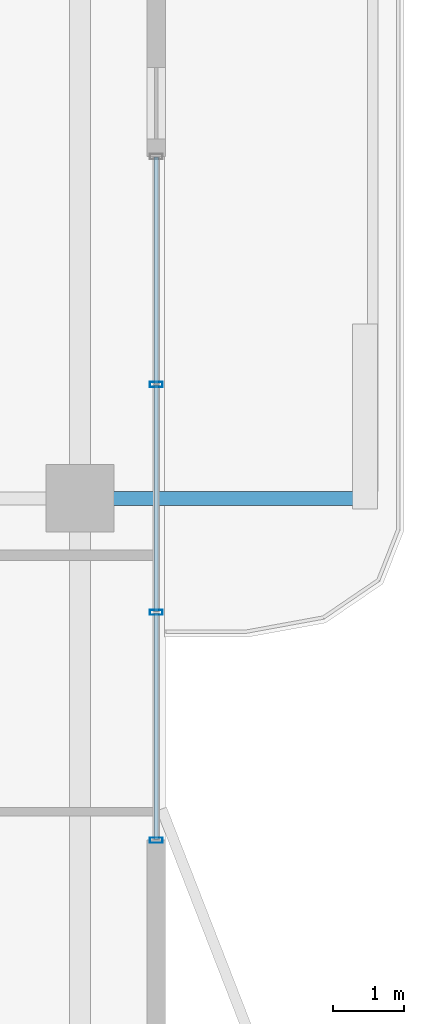
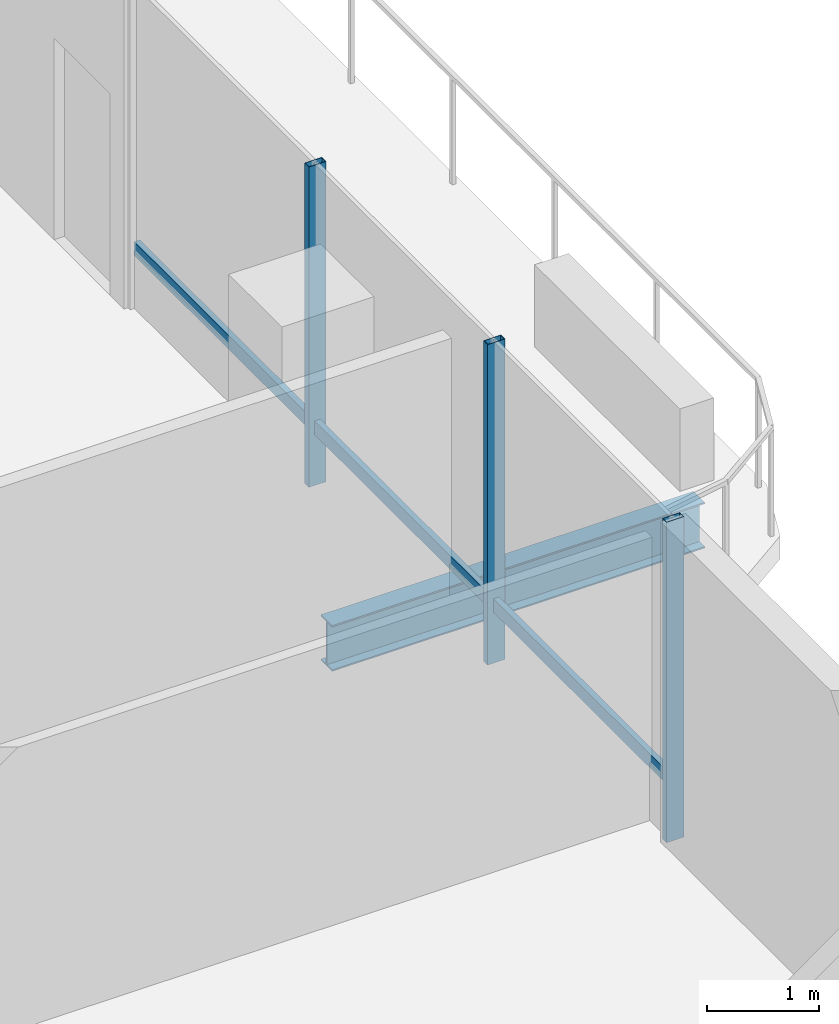
# One storey, part 10 of 25: 6 members, 1 beam, 1 element without a shape of its own.
"""IFC4 building model written with IfcOpenShell, lengths in metres."""

from ifc_helpers import new_model, si_unit, direction, frame, origin, origin_2d, place, context, subcontext, project, spatial, hollow_rectangle, i_section, extrude, material, layer, layer_set, material_profile, profile_set, type_object, element, aggregate, save


model = new_model("IFC4")

# Units and contexts
model_context = context("Model", 3, precision=1e-05, world=origin(), true_north=direction((0.0, 1.0)))
body_context = subcontext(model_context, "Body", "Model", "MODEL_VIEW")
ifc_project = project(units=[si_unit("LENGTHUNIT", "METRE"), si_unit("AREAUNIT", "SQUARE_METRE"), si_unit("VOLUMEUNIT", "CUBIC_METRE"), si_unit("PLANEANGLEUNIT", "RADIAN"), si_unit("MASSUNIT", "GRAM", prefix="KILO")], contexts=[model_context])

# Site, building, storey
site_placement = place(None, origin())
site = spatial("IfcSite", under=ifc_project, at=site_placement, CompositionType="ELEMENT")
building_placement = place(site_placement, origin())
building = spatial("IfcBuilding", under=site, at=building_placement, Name="Belovzor Exchange Tower", CompositionType="ELEMENT")
storey_placement = place(building_placement, frame((0.0, 0.0, 269.10009765625)))
storey = spatial("IfcBuildingStorey", under=building, at=storey_placement, Name="L67", CompositionType="ELEMENT", Elevation=269.10009765625)

# Beam
ifc_material_1 = material(Name="Steel S355", Category="steel")
ifc_material_profile_1 = material_profile(ifc_material_1, i_section(OverallWidth=0.199951171875, OverallDepth=0.5, WebThickness=0.01025390625, FlangeThickness=0.01611328125, at=origin_2d()))
ifc_profile_set_1 = profile_set([ifc_material_profile_1], Name="Steel S355")
beam_type = type_object("IfcBeamType", Name="Planted Balcony Cantilever Beam IPE 500", PredefinedType="BEAM", material=ifc_profile_set_1)
beam_placement = place(storey_placement, frame((52.760986328125, 28.800048828125, -0.5), z_axis=(1.0, 0.0, 0.0), x_axis=(0.0, 1.0, 0.0)))
element("IfcBeam", 1, at=beam_placement, inside=storey, type_object=beam_type, Name="BC-500 Planted Balcony Cantilever Beam IPE 500", PredefinedType="BEAM", context=body_context, shape_type="SweptSolid", body=[
    extrude(i_section(OverallWidth=0.199951171875, OverallDepth=0.5, WebThickness=0.01025390625, FlangeThickness=0.01611328125, at=origin_2d()), origin(), (0.0, 0.0, 1.0), 3.85009765625),
])

# Curtain wall, members
ifc_material_2 = material(Name="Anodised Aluminium Framing", Category="aluminium")
ifc_layer = layer(ifc_material_2, 0.179931640625)
ifc_layer_set = layer_set([ifc_layer], Name="Anodised Aluminium Framing")
curtain_wall_type = type_object("IfcCurtainWallType", Name="Recessed Loggia Low-Iron Triple-Glazed Curtain Wall", PredefinedType="NOTDEFINED", material=ifc_layer_set)
curtain_wall_placement = place(storey_placement, origin())
curtain_wall = element("IfcCurtainWall", 2, at=curtain_wall_placement, inside=storey, type_object=curtain_wall_type, Name="CW3 Recessed Loggia Low-Iron Triple-Glazed Curtain Wall L67", PredefinedType="NOTDEFINED")
ifc_material_3 = material(Name="Steel S355", Category="steel")
ifc_material_profile_2 = material_profile(ifc_material_3, hollow_rectangle(XDim=0.074951171875, YDim=0.179931640625, WallThickness=0.0048828125, at=origin_2d()))
ifc_profile_set_2 = profile_set([ifc_material_profile_2], Name="Steel S355")
member_type_1 = type_object("IfcMemberType", Name="Thermally Broken Curtain Wall Mullion 180x75", PredefinedType="MULLION", material=ifc_profile_set_2)
member_1_placement = place(storey_placement, frame((53.570068359375, 30.39990234375, 0.0), z_axis=(0.0, 0.0, 1.0), x_axis=(0.0, -1.0, 0.0)))
member_1 = element("IfcMember", 3, at=member_1_placement, type_object=member_type_1, Name="CW-M180 Curtain Wall Mullion 2", PredefinedType="MULLION", context=body_context, shape_type="SweptSolid", body=[
    extrude(hollow_rectangle(XDim=0.074951171875, YDim=0.179931640625, WallThickness=0.0048828125, at=origin_2d()), origin(), (0.0, 0.0, 1.0), 3.5),
])
member_2_placement = place(storey_placement, frame((53.570068359375, 27.199951171875, 0.0), z_axis=(0.0, 0.0, 1.0), x_axis=(0.0, -1.0, 0.0)))
member_2 = element("IfcMember", 4, at=member_2_placement, type_object=member_type_1, Name="CW-M180 Curtain Wall Mullion 3", PredefinedType="MULLION", context=body_context, shape_type="SweptSolid", body=[
    extrude(hollow_rectangle(XDim=0.074951171875, YDim=0.179931640625, WallThickness=0.0048828125, at=origin_2d()), origin(), (0.0, 0.0, 1.0), 3.5),
])
member_3_placement = place(storey_placement, frame((53.570068359375, 24.0, 0.0), z_axis=(0.0, 0.0, 1.0), x_axis=(0.0, -1.0, 0.0)))
member_3 = element("IfcMember", 5, at=member_3_placement, type_object=member_type_1, Name="CW-M180 Curtain Wall Mullion 4", PredefinedType="MULLION", context=body_context, shape_type="SweptSolid", body=[
    extrude(hollow_rectangle(XDim=0.074951171875, YDim=0.179931640625, WallThickness=0.0048828125, at=origin_2d()), origin(), (0.0, 0.0, 1.0), 3.5),
])
ifc_material_4 = material(Name="Steel S355", Category="steel")
ifc_material_profile_3 = material_profile(ifc_material_4, hollow_rectangle(XDim=0.06005859375, YDim=0.14990234375, WallThickness=0.00390625, at=origin_2d()))
ifc_profile_set_3 = profile_set([ifc_material_profile_3], Name="Steel S355")
member_type_2 = type_object("IfcMemberType", Name="Thermally Broken Curtain Wall Transom 150x60", PredefinedType="USERDEFINED", material=ifc_profile_set_3)
member_4_placement = place(storey_placement, frame((53.570068359375, 33.592041015625, 0.6298828125), z_axis=(0.0, -1.0, 0.0), x_axis=(1.0, 0.0, 0.0)))
member_4 = element("IfcMember", 6, at=member_4_placement, type_object=member_type_2, Name="CW-T150 Curtain Wall Transom 1", ObjectType="TRANSOM", PredefinedType="USERDEFINED", context=body_context, shape_type="SweptSolid", body=[
    extrude(hollow_rectangle(XDim=0.06005859375, YDim=0.14990234375, WallThickness=0.00390625, at=origin_2d()), origin(), (0.0, 0.0, 1.0), 3.18408203125),
])
member_5_placement = place(storey_placement, frame((53.570068359375, 30.39208984375, 0.6298828125), z_axis=(0.0, -1.0, 0.0), x_axis=(1.0, 0.0, 0.0)))
member_5 = element("IfcMember", 7, at=member_5_placement, type_object=member_type_2, Name="CW-T150 Curtain Wall Transom 2", ObjectType="TRANSOM", PredefinedType="USERDEFINED", context=body_context, shape_type="SweptSolid", body=[
    extrude(hollow_rectangle(XDim=0.06005859375, YDim=0.14990234375, WallThickness=0.00390625, at=origin_2d()), origin(), (0.0, 0.0, 1.0), 3.18408203125),
])
member_6_placement = place(storey_placement, frame((53.570068359375, 27.19189453125, 0.6298828125), z_axis=(0.0, -1.0, 0.0), x_axis=(1.0, 0.0, 0.0)))
member_6 = element("IfcMember", 8, at=member_6_placement, type_object=member_type_2, Name="CW-T150 Curtain Wall Transom 3", ObjectType="TRANSOM", PredefinedType="USERDEFINED", context=body_context, shape_type="SweptSolid", body=[
    extrude(hollow_rectangle(XDim=0.06005859375, YDim=0.14990234375, WallThickness=0.00390625, at=origin_2d()), origin(), (0.0, 0.0, 1.0), 3.183837890625),
])
aggregate(curtain_wall, [member_1, member_2, member_3, member_4, member_5, member_6])

save(model, "model.ifc")
